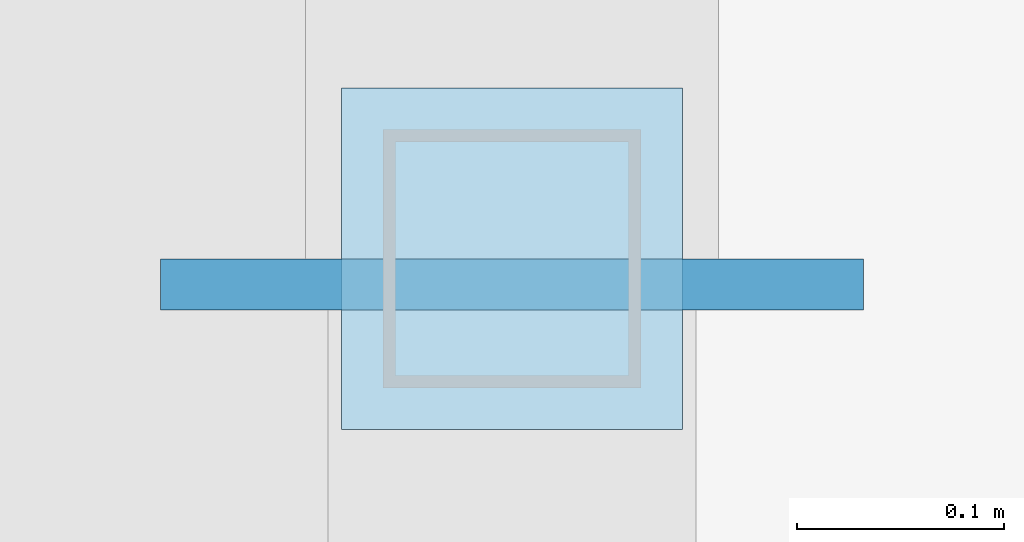
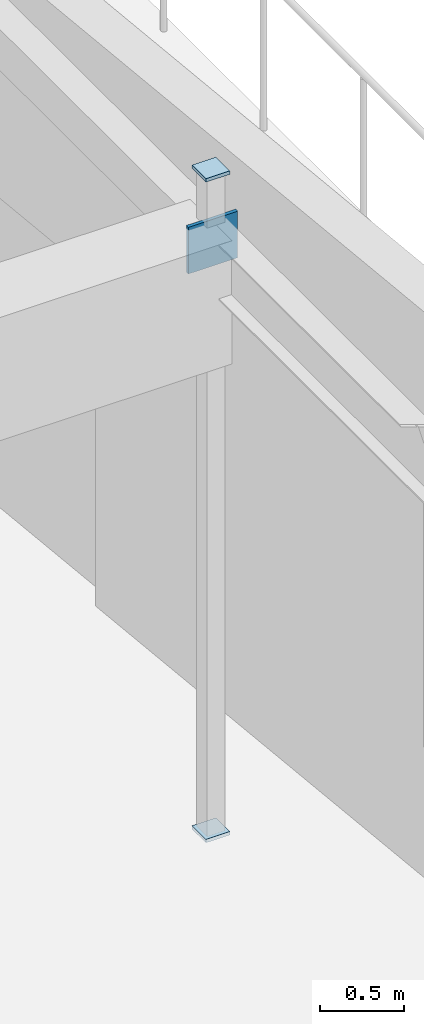
# One storey, part 152 of 199: 3 plates.
"""IFC4 building model written with IfcOpenShell, lengths in metres."""

from ifc_helpers import new_model, si_unit, direction, frame, origin, origin_2d, place, context, subcontext, project, spatial, rectangle, extrude, material, layer, layer_set, type_object, element, save


model = new_model("IFC4")

# Units and contexts
model_context = context("Model", 3, precision=1e-05, world=origin(), true_north=direction((0.0, 1.0)))
body_context = subcontext(model_context, "Body", "Model", "MODEL_VIEW")
ifc_project = project(units=[si_unit("LENGTHUNIT", "METRE"), si_unit("AREAUNIT", "SQUARE_METRE"), si_unit("VOLUMEUNIT", "CUBIC_METRE"), si_unit("PLANEANGLEUNIT", "RADIAN"), si_unit("MASSUNIT", "GRAM", prefix="KILO")], contexts=[model_context])

# Site, building, storey
site_placement = place(None, origin())
site = spatial("IfcSite", under=ifc_project, at=site_placement, CompositionType="ELEMENT")
building_placement = place(site_placement, origin())
building = spatial("IfcBuilding", under=site, at=building_placement, Name="Tarnwether General Hospital", CompositionType="ELEMENT")
storey_placement = place(building_placement, origin())
storey = spatial("IfcBuildingStorey", under=building, at=storey_placement, Name="L00", CompositionType="ELEMENT", Elevation=0.0)

# Plates
ifc_material = material(Name="Steel Grade 350 (350 MPa)", Category="steel")
ifc_layer = layer(ifc_material, 0.02490234375)
ifc_layer_set = layer_set([ifc_layer], Name="Steel Grade 350 (350 MPa)")
plate_type = type_object("IfcPlateType", Name="PT-GUS2", PredefinedType="USERDEFINED", material=ifc_layer_set)
for number, where, z_axis, x_axis, name in (
    (1, (192.0, 115.199951171875, -0.02490234375), (0.0, 0.0, 1.0), (1.0, 0.0, 0.0), "Hollow Section Welded End Cap Plate 0429"),
    (2, (192.0, 115.199951171875, 4.800048828125), (0.0, 0.0, 1.0), (1.0, 0.0, 0.0), "Hollow Section Welded End Cap Plate 0430"),
):
    element("IfcPlate", number, at=place(storey_placement, frame(where, z_axis=z_axis, x_axis=x_axis)), inside=storey, type_object=plate_type, Name=name, ObjectType="GUSSET", PredefinedType="USERDEFINED", context=body_context, shape_type="SweptSolid", body=[
        extrude(rectangle(XDim=0.1650390625, YDim=0.1650390625, at=origin_2d()), origin(), (0.0, 0.0, 1.0), 0.02490234375),
    ])
plate_placement = place(storey_placement, frame((192.0, 115.1875, 4.125), z_axis=(0.0, 0.0, 1.0), x_axis=(0.0, 1.0, 0.0)))
element("IfcPlate", 3, at=plate_placement, inside=storey, type_object=plate_type, Name="Hollow Section Welded End Cap Plate 0905", ObjectType="GUSSET", PredefinedType="USERDEFINED", context=body_context, shape_type="SweptSolid", body=[
    extrude(rectangle(XDim=0.02490234375, YDim=0.340087890625, at=origin_2d()), origin(), (0.0, 0.0, 1.0), 0.340087890625),
])

save(model, "model.ifc")
